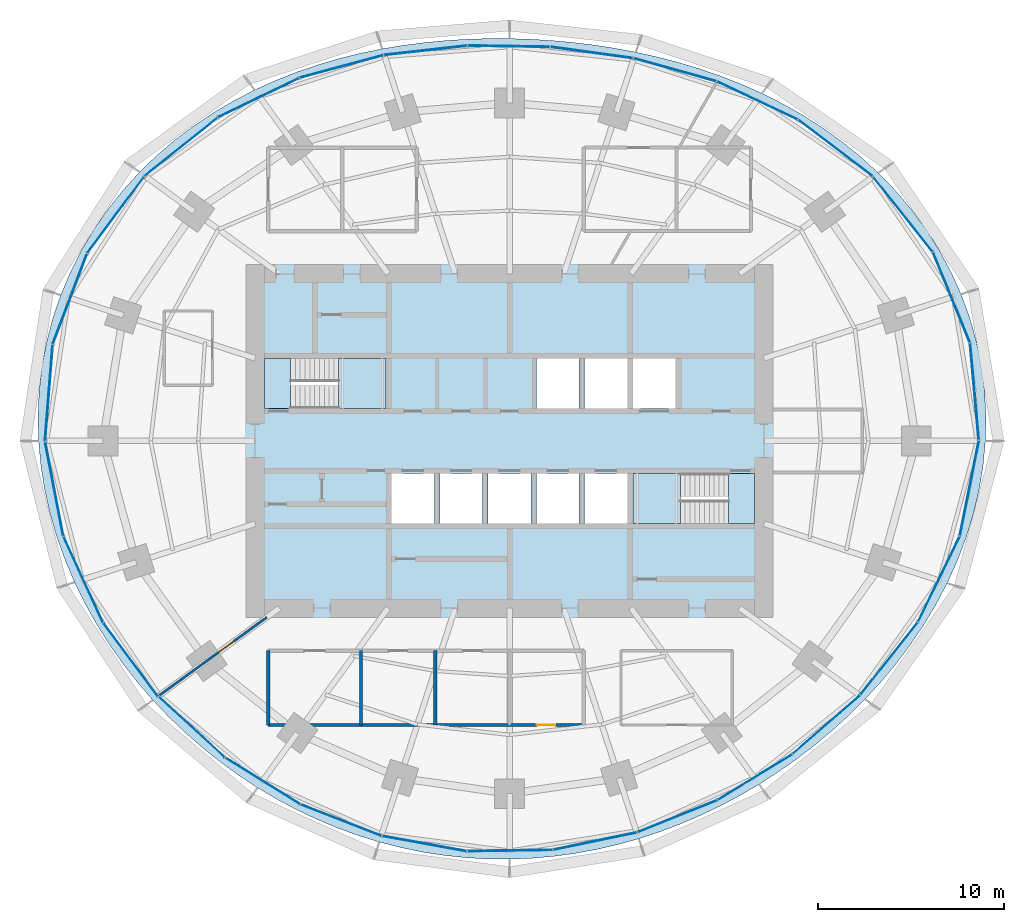
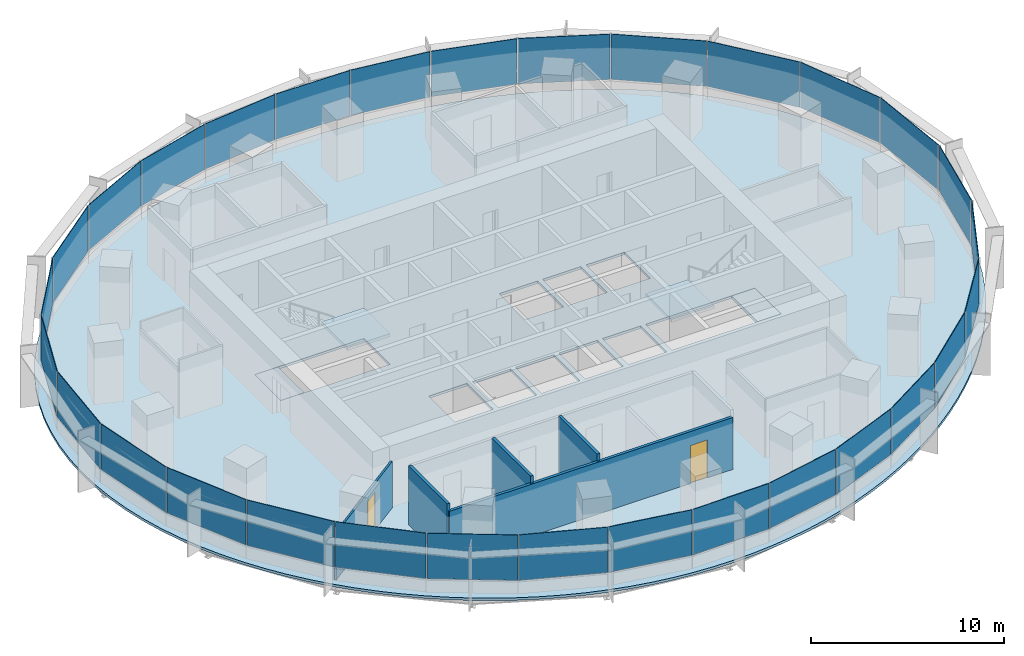
# One storey, part 9 of 14: 30 plates, 5 slabs, 5 walls, 2 doors, 2 openings, 8 elements without a shape of their own.
"""IFC4 building model written with IfcOpenShell, lengths in metres."""

from ifc_helpers import new_model, si_unit, direction, frame, frame_2d, origin, origin_2d, place, context, subcontext, project, spatial, polyline, rectangle, outline, extrude, material, layer, layer_set, type_object, element, fill, aggregate, save


model = new_model("IFC4")

# Units and contexts
model_context = context("Model", 3, precision=1e-05, world=origin(), true_north=direction((0.0, 1.0)))
body_context = subcontext(model_context, "Body", "Model", "MODEL_VIEW")
ifc_project = project(units=[si_unit("LENGTHUNIT", "METRE"), si_unit("AREAUNIT", "SQUARE_METRE"), si_unit("VOLUMEUNIT", "CUBIC_METRE"), si_unit("PLANEANGLEUNIT", "RADIAN"), si_unit("MASSUNIT", "GRAM", prefix="KILO")], contexts=[model_context])

# Site, building, storey
site_placement = place(None, origin())
site = spatial("IfcSite", under=ifc_project, at=site_placement, CompositionType="ELEMENT")
building_placement = place(site_placement, origin())
building = spatial("IfcBuilding", under=site, at=building_placement, Name="Marramba Exchange Tower", CompositionType="ELEMENT")
storey_placement = place(building_placement, frame((0.0, 0.0, 139.199951171875)))
storey = spatial("IfcBuildingStorey", under=building, at=storey_placement, Name="L33", CompositionType="ELEMENT", Elevation=139.199951171875)

# Slab
ifc_material_1 = material(Name="Concrete N40", Category="concrete")
ifc_layer_1 = layer(ifc_material_1, 0.159912109375)
ifc_layer_set_1 = layer_set([ifc_layer_1], Name="Composite floor slab 160")
slab_type_1 = type_object("IfcSlabType", Name="Composite floor slab 160", PredefinedType="FLOOR", material=ifc_layer_set_1)
slab_1_placement = place(storey_placement, frame((0.0, 0.0, -0.159912109375)))
element("IfcSlab", 1, at=slab_1_placement, inside=storey, type_object=slab_type_1, Name="Floor slab L33", PredefinedType="FLOOR", context=body_context, shape_type="SweptSolid", body=[
    extrude(outline(polyline([(25.632080078125, 0.0), (25.66064453125, 1.3447265625), (25.59033203125, 2.689697265625), (25.420166015625, 4.026123046875), (25.15087890625, 5.345947265625), (24.7841796875, 6.640869140625), (24.322998046875, 7.903076171875), (23.771484375, 9.125), (23.135009765625, 10.30029296875), (22.419677734375, 11.42333984375), (21.632080078125, 12.4892578125), (20.779541015625, 13.494384765625), (19.869384765625, 14.43603515625), (18.9091796875, 15.3125), (17.90625, 16.122802734375), (16.86767578125, 16.86767578125), (15.800048828125, 17.5478515625), (14.70947265625, 18.164794921875), (13.6015625, 18.720947265625), (12.48095703125, 19.218994140625), (11.3515625, 19.66162109375), (10.217041015625, 20.05224609375), (9.079833984375, 20.393798828125), (7.94189453125, 20.689453125), (6.804443359375, 20.942138671875), (5.668212890625, 21.154296875), (4.533447265625, 21.328369140625), (3.39990234375, 21.46630859375), (2.26708984375, 21.5693359375), (1.134033203125, 21.63818359375), (0.0, 21.673095703125), (-1.135986328125, 21.673828125), (-2.2744140625, 21.6396484375), (-3.416259765625, 21.5693359375), (-4.5615234375, 21.460693359375), (-5.71044921875, 21.31201171875), (-6.8623046875, 21.1201171875), (-8.01611328125, 20.8828125), (-9.170166015625, 20.5966796875), (-10.322509765625, 20.2587890625), (-11.4697265625, 19.8662109375), (-12.60888671875, 19.415771484375), (-13.7353515625, 18.905029296875), (-14.8447265625, 18.331787109375), (-15.931640625, 17.69384765625), (-16.989990234375, 16.989990234375), (-18.013916015625, 16.2197265625), (-18.996826171875, 15.38330078125), (-19.931884765625, 14.4814453125), (-20.8125, 13.515869140625), (-21.632080078125, 12.4892578125), (-22.384033203125, 11.4052734375), (-23.0625, 10.26806640625), (-23.661865234375, 9.0830078125), (-24.177734375, 7.855712890625), (-24.605712890625, 6.593017578125), (-24.943603515625, 5.302001953125), (-25.18896484375, 3.989501953125), (-25.341064453125, 2.663330078125), (-25.400390625, 1.3310546875), (-25.367919921875, 0.0), (-25.246337890625, -1.322998046875), (-25.038818359375, -2.631591796875), (-24.748779296875, -3.919921875), (-24.381103515625, -5.182373046875), (-23.940185546875, -6.414794921875), (-23.431396484375, -7.61328125), (-22.859130859375, -8.77490234375), (-22.22900390625, -9.89697265625), (-21.545166015625, -10.977783203125), (-20.81201171875, -12.015869140625), (-20.033935546875, -13.010009765625), (-19.2138671875, -13.959716796875), (-18.35546875, -14.86376953125), (-17.461181640625, -15.72216796875), (-16.53369140625, -16.53369140625), (-15.5751953125, -17.298095703125), (-14.587646484375, -18.014404296875), (-13.5732421875, -18.681884765625), (-12.533203125, -19.299560546875), (-11.4697265625, -19.8662109375), (-10.384765625, -20.381103515625), (-9.27978515625, -20.8427734375), (-8.157470703125, -21.250732421875), (-7.019287109375, -21.603271484375), (-5.8681640625, -21.900146484375), (-4.7060546875, -22.14013671875), (-3.53564453125, -22.322998046875), (-2.359375, -22.448486328125), (-1.179931640625, -22.516357421875), (0.0, -22.52685546875), (1.17822265625, -22.480712890625), (2.35205078125, -22.3779296875), (3.519287109375, -22.22021484375), (4.677978515625, -22.0078125), (5.825927734375, -21.742431640625), (6.96142578125, -21.425048828125), (8.0830078125, -21.05712890625), (9.189453125, -20.639892578125), (10.279296875, -20.17431640625), (11.3515625, -19.66162109375), (12.4052734375, -19.1025390625), (13.439453125, -18.497802734375), (14.45263671875, -17.847412109375), (15.44384765625, -17.152099609375), (16.411376953125, -16.411376953125), (17.353515625, -15.625244140625), (18.267822265625, -14.79296875), (19.1513671875, -13.914306640625), (20.000732421875, -12.98876953125), (20.81201171875, -12.015869140625), (21.580810546875, -10.995849609375), (22.301513671875, -9.92919921875), (22.96875, -8.81689453125), (23.57666015625, -7.660400390625), (24.11865234375, -6.462646484375), (24.588623046875, -5.2265625), (24.980224609375, -3.95654296875), (25.2880859375, -2.657958984375), (25.5068359375, -1.336669921875), (25.632080078125, 0.0)]), holes=[polyline([(1.449951171875, 1.75), (3.75, 1.75), (3.75, 4.449951171875), (1.449951171875, 4.449951171875), (1.449951171875, 1.75)]), polyline([(4.050048828125, 1.75), (6.35009765625, 1.75), (6.35009765625, 4.449951171875), (4.050048828125, 4.449951171875), (4.050048828125, 1.75)]), polyline([(-6.35009765625, -4.449951171875), (-4.050048828125, -4.449951171875), (-4.050048828125, -1.75), (-6.35009765625, -1.75), (-6.35009765625, -4.449951171875)]), polyline([(-3.75, -4.449951171875), (-1.449951171875, -4.449951171875), (-1.449951171875, -1.75), (-3.75, -1.75), (-3.75, -4.449951171875)]), polyline([(-1.14990234375, -4.449951171875), (1.14990234375, -4.449951171875), (1.14990234375, -1.75), (-1.14990234375, -1.75), (-1.14990234375, -4.449951171875)]), polyline([(1.449951171875, -4.449951171875), (3.75, -4.449951171875), (3.75, -1.75), (1.449951171875, -1.75), (1.449951171875, -4.449951171875)]), polyline([(4.050048828125, -4.449951171875), (6.35009765625, -4.449951171875), (6.35009765625, -1.75), (4.050048828125, -1.75), (4.050048828125, -4.449951171875)]), polyline([(6.64990234375, 1.75), (8.949951171875, 1.75), (8.949951171875, 4.449951171875), (6.64990234375, 4.449951171875), (6.64990234375, 1.75)]), polyline([(-13.199951171875, 1.75), (-6.64990234375, 1.75), (-6.64990234375, 4.449951171875), (-13.199951171875, 4.449951171875), (-13.199951171875, 1.75)]), polyline([(6.64990234375, -4.449951171875), (13.199951171875, -4.449951171875), (13.199951171875, -1.75), (6.64990234375, -1.75), (6.64990234375, -4.449951171875)])]), origin(), (0.0, 0.0, 1.0), 0.159912109375),
])

# Curtain wall, plates
ifc_material_2 = material(Name="Aluminium framing, bronze anodised", Category="aluminium")
curtain_wall_type = type_object("IfcCurtainWallType", Name="Office ribbon curtain wall", PredefinedType="USERDEFINED", material=ifc_material_2)
curtain_wall_1_placement = place(storey_placement, origin())
curtain_wall_1 = element("IfcCurtainWall", 2, at=curtain_wall_1_placement, inside=storey, type_object=curtain_wall_type, Name="Curtain wall CW4 L33 F01-F05", ObjectType="RIBBON CURTAIN WALL", PredefinedType="USERDEFINED")
ifc_material_3 = material(Name="Laminated double glazed unit 10.76 + 16 + 10.76, bronze tinted", Category="glass")
ifc_layer_2 = layer(ifc_material_3, 0.03759765625)
ifc_layer_set_2 = layer_set([ifc_layer_2], Name="Office ribbon curtain wall panel")
plate_type = type_object("IfcPlateType", Name="Office ribbon curtain wall panel", PredefinedType="CURTAIN_PANEL", material=ifc_layer_set_2)
plate_1_placement = place(storey_placement, frame((25.042724609375, 2.66650390625, 0.860107421875), z_axis=(0.0, 0.0, 1.0), x_axis=(-0.089412887889, 0.995994646311, 0.0)))
plate_1 = element("IfcPlate", 3, at=plate_1_placement, type_object=plate_type, Name="CW4 vision panel", PredefinedType="CURTAIN_PANEL", context=body_context, shape_type="SweptSolid", body=[
    extrude(rectangle(XDim=5.234375, YDim=0.03759765625, at=origin_2d()), origin(), (0.0, 0.0, 1.0), 2.8798828125),
])
plate_2_placement = place(storey_placement, frame((23.800537109375, 7.743408203125, 0.860107421875), z_axis=(0.0, 0.0, 1.0), x_axis=(-0.377821183171, 0.925878584668, 0.0)))
plate_2 = element("IfcPlate", 4, at=plate_2_placement, type_object=plate_type, Name="CW4 vision panel", PredefinedType="CURTAIN_PANEL", context=body_context, shape_type="SweptSolid", body=[
    extrude(rectangle(XDim=5.2158203125, YDim=0.03759765625, at=origin_2d()), origin(), (0.0, 0.0, 1.0), 2.8798828125),
])
plate_3_placement = place(storey_placement, frame((21.18212890625, 12.217529296875, 0.860107421875), z_axis=(0.0, 0.0, 1.0), x_axis=(-0.621312004611, 0.783563266703, 0.0)))
plate_3 = element("IfcPlate", 5, at=plate_3_placement, type_object=plate_type, Name="CW4 vision panel", PredefinedType="CURTAIN_PANEL", context=body_context, shape_type="SweptSolid", body=[
    extrude(rectangle(XDim=5.136962890625, YDim=0.03759765625, at=origin_2d()), origin(), (0.0, 0.0, 1.0), 2.8798828125),
])
plate_4_placement = place(storey_placement, frame((17.55224609375, 15.777099609375, 0.860107421875), z_axis=(0.0, 0.0, 1.0), x_axis=(-0.795971748366, 0.60533377223, 0.0)))
plate_4 = element("IfcPlate", 6, at=plate_4_placement, type_object=plate_type, Name="CW4 vision panel", PredefinedType="CURTAIN_PANEL", context=body_context, shape_type="SweptSolid", body=[
    extrude(rectangle(XDim=4.990966796875, YDim=0.03759765625, at=origin_2d()), origin(), (0.0, 0.0, 1.0), 2.8798828125),
])
plate_5_placement = place(storey_placement, frame((13.34423828125, 18.3359375, 0.860107421875), z_axis=(0.0, 0.0, 1.0), x_axis=(-0.904403137485, 0.426678995157, 0.0)))
plate_5 = element("IfcPlate", 7, at=plate_5_placement, type_object=plate_type, Name="CW4 vision panel", PredefinedType="CURTAIN_PANEL", context=body_context, shape_type="SweptSolid", body=[
    extrude(rectangle(XDim=4.793212890625, YDim=0.03759765625, at=origin_2d()), origin(), (0.0, 0.0, 1.0), 2.8798828125),
])
aggregate(curtain_wall_1, [plate_1, plate_2, plate_3, plate_4, plate_5])

curtain_wall_2_placement = place(storey_placement, origin())
curtain_wall_2 = element("IfcCurtainWall", 8, at=curtain_wall_2_placement, inside=storey, type_object=curtain_wall_type, Name="Curtain wall CW4 L33 F06-F10", ObjectType="RIBBON CURTAIN WALL", PredefinedType="USERDEFINED")
plate_6_placement = place(storey_placement, frame((8.907470703125, 19.991943359375, 0.860107421875), z_axis=(0.0, 0.0, 1.0), x_axis=(-0.963177845956, 0.268865090816, 0.0)))
plate_6 = element("IfcPlate", 9, at=plate_6_placement, type_object=plate_type, Name="CW4 vision panel", PredefinedType="CURTAIN_PANEL", context=body_context, shape_type="SweptSolid", body=[
    extrude(rectangle(XDim=4.591552734375, YDim=0.03759765625, at=origin_2d()), origin(), (0.0, 0.0, 1.0), 2.8798828125),
])
plate_7_placement = place(storey_placement, frame((4.43359375, 20.919189453125, 0.860107421875), z_axis=(0.0, 0.0, 1.0), x_axis=(-0.990738212841, 0.135785837319, 0.0)))
plate_7 = element("IfcPlate", 10, at=plate_7_placement, type_object=plate_type, Name="CW4 vision panel", PredefinedType="CURTAIN_PANEL", context=body_context, shape_type="SweptSolid", body=[
    extrude(rectangle(XDim=4.447509765625, YDim=0.03759765625, at=origin_2d()), origin(), (0.0, 0.0, 1.0), 2.8798828125),
])
plate_8_placement = place(storey_placement, frame((-0.03369140625, 21.2568359375, 0.860107421875), z_axis=(0.0, 0.0, 1.0), x_axis=(-0.999875869968, 0.01575578169, 0.0)))
plate_8 = element("IfcPlate", 11, at=plate_8_placement, type_object=plate_type, Name="CW4 vision panel", PredefinedType="CURTAIN_PANEL", context=body_context, shape_type="SweptSolid", body=[
    extrude(rectangle(XDim=4.408935546875, YDim=0.03759765625, at=origin_2d()), origin(), (0.0, 0.0, 1.0), 2.8798828125),
])
plate_9_placement = place(storey_placement, frame((-4.52587890625, 21.0361328125, 0.860107421875), z_axis=(0.0, 0.0, 1.0), x_axis=(-0.993823395532, -0.110973233233, 0.0)))
plate_9 = element("IfcPlate", 12, at=plate_9_placement, type_object=plate_type, Name="CW4 vision panel", PredefinedType="CURTAIN_PANEL", context=body_context, shape_type="SweptSolid", body=[
    extrude(rectangle(XDim=4.484375, YDim=0.03759765625, at=origin_2d()), origin(), (0.0, 0.0, 1.0), 2.8798828125),
])
plate_10_placement = place(storey_placement, frame((-9.053466796875, 20.16748046875, 0.860107421875), z_axis=(0.0, 0.0, 1.0), x_axis=(-0.965522047176, -0.260321294588, 0.0)))
plate_10 = element("IfcPlate", 13, at=plate_10_placement, type_object=plate_type, Name="CW4 vision panel", PredefinedType="CURTAIN_PANEL", context=body_context, shape_type="SweptSolid", body=[
    extrude(rectangle(XDim=4.642578125, YDim=0.03759765625, at=origin_2d()), origin(), (0.0, 0.0, 1.0), 2.8798828125),
])
aggregate(curtain_wall_2, [plate_6, plate_7, plate_8, plate_9, plate_10])

curtain_wall_3_placement = place(storey_placement, origin())
curtain_wall_3 = element("IfcCurtainWall", 14, at=curtain_wall_3_placement, inside=storey, type_object=curtain_wall_type, Name="Curtain wall CW4 L33 F11-F15", ObjectType="RIBBON CURTAIN WALL", PredefinedType="USERDEFINED")
plate_11_placement = place(storey_placement, frame((-13.52294921875, 18.4853515625, 0.860107421875), z_axis=(0.0, 0.0, 1.0), x_axis=(-0.900223739881, -0.435427626771, 0.0)))
plate_11 = element("IfcPlate", 15, at=plate_11_placement, type_object=plate_type, Name="CW4 vision panel", PredefinedType="CURTAIN_PANEL", context=body_context, shape_type="SweptSolid", body=[
    extrude(rectangle(XDim=4.83056640625, YDim=0.03759765625, at=origin_2d()), origin(), (0.0, 0.0, 1.0), 2.8798828125),
])
plate_12_placement = place(storey_placement, frame((-17.696533203125, 15.8359375, 0.860107421875), z_axis=(0.0, 0.0, 1.0), x_axis=(-0.78117833008, -0.624307950145, 0.0)))
plate_12 = element("IfcPlate", 16, at=plate_12_placement, type_object=plate_type, Name="CW4 vision panel", PredefinedType="CURTAIN_PANEL", context=body_context, shape_type="SweptSolid", body=[
    extrude(rectangle(XDim=4.998291015625, YDim=0.03759765625, at=origin_2d()), origin(), (0.0, 0.0, 1.0), 2.8798828125),
])
plate_13_placement = place(storey_placement, frame((-21.213623046875, 12.1767578125, 0.860107421875), z_axis=(0.0, 0.0, 1.0), x_axis=(-0.597703997504, -0.80171686484, 0.0)))
plate_13 = element("IfcPlate", 17, at=plate_13_placement, type_object=plate_type, Name="CW4 vision panel", PredefinedType="CURTAIN_PANEL", context=body_context, shape_type="SweptSolid", body=[
    extrude(rectangle(XDim=5.116455078125, YDim=0.03759765625, at=origin_2d()), origin(), (0.0, 0.0, 1.0), 2.8798828125),
])
plate_14_placement = place(storey_placement, frame((-23.6826171875, 7.6494140625, 0.860107421875), z_axis=(0.0, 0.0, 1.0), x_axis=(-0.354844468484, -0.934925346317, 0.0)))
plate_14 = element("IfcPlate", 18, at=plate_14_placement, type_object=plate_type, Name="CW4 vision panel", PredefinedType="CURTAIN_PANEL", context=body_context, shape_type="SweptSolid", body=[
    extrude(rectangle(XDim=5.177490234375, YDim=0.03759765625, at=origin_2d()), origin(), (0.0, 0.0, 1.0), 2.8798828125),
])
plate_15_placement = place(storey_placement, frame((-24.81201171875, 2.584716796875, 0.860107421875), z_axis=(0.0, 0.0, 1.0), x_axis=(-0.079459696383, -0.996838079455, 0.0)))
plate_15 = element("IfcPlate", 19, at=plate_15_placement, type_object=plate_type, Name="CW4 vision panel", PredefinedType="CURTAIN_PANEL", context=body_context, shape_type="SweptSolid", body=[
    extrude(rectangle(XDim=5.185791015625, YDim=0.03759765625, at=origin_2d()), origin(), (0.0, 0.0, 1.0), 2.8798828125),
])
aggregate(curtain_wall_3, [plate_11, plate_12, plate_13, plate_14, plate_15])

curtain_wall_4_placement = place(storey_placement, origin())
curtain_wall_4 = element("IfcCurtainWall", 20, at=curtain_wall_4_placement, inside=storey, type_object=curtain_wall_type, Name="Curtain wall CW4 L33 F16-F20", ObjectType="RIBBON CURTAIN WALL", PredefinedType="USERDEFINED")
plate_16_placement = place(storey_placement, frame((-24.522705078125, -2.584228515625, 0.860107421875), z_axis=(0.0, 0.0, 1.0), x_axis=(0.18822721487, -0.982125509078, 0.0)))
plate_16 = element("IfcPlate", 21, at=plate_16_placement, type_object=plate_type, Name="CW4 vision panel", PredefinedType="CURTAIN_PANEL", context=body_context, shape_type="SweptSolid", body=[
    extrude(rectangle(XDim=5.142578125, YDim=0.03759765625, at=origin_2d()), origin(), (0.0, 0.0, 1.0), 2.8798828125),
])
plate_17_placement = place(storey_placement, frame((-22.96142578125, -7.45947265625, 0.860107421875), z_axis=(0.0, 0.0, 1.0), x_axis=(0.416737848929, -0.909026713177, 0.0)))
plate_17 = element("IfcPlate", 22, at=plate_17_placement, type_object=plate_type, Name="CW4 vision panel", PredefinedType="CURTAIN_PANEL", context=body_context, shape_type="SweptSolid", body=[
    extrude(rectangle(XDim=5.0498046875, YDim=0.03759765625, at=origin_2d()), origin(), (0.0, 0.0, 1.0), 2.8798828125),
])
plate_18_placement = place(storey_placement, frame((-20.402099609375, -11.7783203125, 0.860107421875), z_axis=(0.0, 0.0, 1.0), x_axis=(0.597304697033, -0.802014400683, 0.0)))
plate_18 = element("IfcPlate", 23, at=plate_18_placement, type_object=plate_type, Name="CW4 vision panel", PredefinedType="CURTAIN_PANEL", context=body_context, shape_type="SweptSolid", body=[
    extrude(rectangle(XDim=4.926513671875, YDim=0.03759765625, at=origin_2d()), origin(), (0.0, 0.0, 1.0), 2.8798828125),
])
plate_19_placement = place(storey_placement, frame((-17.11376953125, -15.416259765625, 0.860107421875), z_axis=(0.0, 0.0, 1.0), x_axis=(0.737821886077, -0.674995455115, 0.0)))
plate_19 = element("IfcPlate", 24, at=plate_19_placement, type_object=plate_type, Name="CW4 vision panel", PredefinedType="CURTAIN_PANEL", context=body_context, shape_type="SweptSolid", body=[
    extrude(rectangle(XDim=4.80517578125, YDim=0.03759765625, at=origin_2d()), origin(), (0.0, 0.0, 1.0), 2.8798828125),
])
plate_20_placement = place(storey_placement, frame((-13.29248046875, -18.31640625, 0.860107421875), z_axis=(0.0, 0.0, 1.0), x_axis=(0.84835459748, -0.52942844364, 0.0)))
plate_20 = element("IfcPlate", 25, at=plate_20_placement, type_object=plate_type, Name="CW4 vision panel", PredefinedType="CURTAIN_PANEL", context=body_context, shape_type="SweptSolid", body=[
    extrude(rectangle(XDim=4.70947265625, YDim=0.03759765625, at=origin_2d()), origin(), (0.0, 0.0, 1.0), 2.8798828125),
])
aggregate(curtain_wall_4, [plate_16, plate_17, plate_18, plate_19, plate_20])

curtain_wall_5_placement = place(storey_placement, origin())
curtain_wall_5 = element("IfcCurtainWall", 26, at=curtain_wall_5_placement, inside=storey, type_object=curtain_wall_type, Name="Curtain wall CW4 L33 F21-F25", ObjectType="RIBBON CURTAIN WALL", PredefinedType="USERDEFINED")
plate_21_placement = place(storey_placement, frame((-9.074951171875, -20.427734375, 0.860107421875), z_axis=(0.0, 0.0, 1.0), x_axis=(0.931818390344, -0.36292490603, 0.0)))
plate_21 = element("IfcPlate", 27, at=plate_21_placement, type_object=plate_type, Name="CW4 vision panel", PredefinedType="CURTAIN_PANEL", context=body_context, shape_type="SweptSolid", body=[
    extrude(rectangle(XDim=4.644287109375, YDim=0.03759765625, at=origin_2d()), origin(), (0.0, 0.0, 1.0), 2.8798828125),
])
plate_22_placement = place(storey_placement, frame((-4.58740234375, -21.690673828125, 0.860107421875), z_axis=(0.0, 0.0, 1.0), x_axis=(0.984031865834, -0.177992379115, 0.0)))
plate_22 = element("IfcPlate", 28, at=plate_22_placement, type_object=plate_type, Name="CW4 vision panel", PredefinedType="CURTAIN_PANEL", context=body_context, shape_type="SweptSolid", body=[
    extrude(rectangle(XDim=4.602783203125, YDim=0.03759765625, at=origin_2d()), origin(), (0.0, 0.0, 1.0), 2.8798828125),
])
plate_23_placement = place(storey_placement, frame((0.0263671875, -22.064697265625, 0.860107421875), z_axis=(0.0, 0.0, 1.0), x_axis=(0.999884797709, 0.015178646521, 0.0)))
plate_23 = element("IfcPlate", 29, at=plate_23_placement, type_object=plate_type, Name="CW4 vision panel", PredefinedType="CURTAIN_PANEL", context=body_context, shape_type="SweptSolid", body=[
    extrude(rectangle(XDim=4.578857421875, YDim=0.03759765625, at=origin_2d()), origin(), (0.0, 0.0, 1.0), 2.8798828125),
])
plate_24_placement = place(storey_placement, frame((4.61376953125, -21.554931640625, 0.860107421875), z_axis=(0.0, 0.0, 1.0), x_axis=(0.979310199794, 0.202364850159, 0.0)))
plate_24 = element("IfcPlate", 30, at=plate_24_placement, type_object=plate_type, Name="CW4 vision panel", PredefinedType="CURTAIN_PANEL", context=body_context, shape_type="SweptSolid", body=[
    extrude(rectangle(XDim=4.57373046875, YDim=0.03759765625, at=origin_2d()), origin(), (0.0, 0.0, 1.0), 2.8798828125),
])
plate_25_placement = place(storey_placement, frame((9.042724609375, -20.214111328125, 0.860107421875), z_axis=(0.0, 0.0, 1.0), x_axis=(0.928148916059, 0.372209067082, 0.0)))
plate_25 = element("IfcPlate", 31, at=plate_25_placement, type_object=plate_type, Name="CW4 vision panel", PredefinedType="CURTAIN_PANEL", context=body_context, shape_type="SweptSolid", body=[
    extrude(rectangle(XDim=4.59814453125, YDim=0.03759765625, at=origin_2d()), origin(), (0.0, 0.0, 1.0), 2.8798828125),
])
aggregate(curtain_wall_5, [plate_21, plate_22, plate_23, plate_24, plate_25])

curtain_wall_6_placement = place(storey_placement, origin())
curtain_wall_6 = element("IfcCurtainWall", 32, at=curtain_wall_6_placement, inside=storey, type_object=curtain_wall_type, Name="Curtain wall CW4 L33 F26-F30", ObjectType="RIBBON CURTAIN WALL", PredefinedType="USERDEFINED")
plate_26_placement = place(storey_placement, frame((13.21875, -18.109619140625, 0.860107421875), z_axis=(0.0, 0.0, 1.0), x_axis=(0.853109114492, 0.521732535664, 0.0)))
plate_26 = element("IfcPlate", 33, at=plate_26_placement, type_object=plate_type, Name="CW4 vision panel", PredefinedType="CURTAIN_PANEL", context=body_context, shape_type="SweptSolid", body=[
    extrude(rectangle(XDim=4.66748046875, YDim=0.03759765625, at=origin_2d()), origin(), (0.0, 0.0, 1.0), 2.8798828125),
])
plate_27_placement = place(storey_placement, frame((17.0615234375, -15.280517578125, 0.860107421875), z_axis=(0.0, 0.0, 1.0), x_axis=(0.754385506384, 0.656431647438, 0.0)))
plate_27 = element("IfcPlate", 34, at=plate_27_placement, type_object=plate_type, Name="CW4 vision panel", PredefinedType="CURTAIN_PANEL", context=body_context, shape_type="SweptSolid", body=[
    extrude(rectangle(XDim=4.789794921875, YDim=0.03759765625, at=origin_2d()), origin(), (0.0, 0.0, 1.0), 2.8798828125),
])
plate_28_placement = place(storey_placement, frame((20.443603515625, -11.724365234375, 0.860107421875), z_axis=(0.0, 0.0, 1.0), x_axis=(0.621807472329, 0.783170139469, 0.0)))
plate_28 = element("IfcPlate", 35, at=plate_28_placement, type_object=plate_type, Name="CW4 vision panel", PredefinedType="CURTAIN_PANEL", context=body_context, shape_type="SweptSolid", body=[
    extrude(rectangle(XDim=4.947265625, YDim=0.03759765625, at=origin_2d()), origin(), (0.0, 0.0, 1.0), 2.8798828125),
])
plate_29_placement = place(storey_placement, frame((23.127197265625, -7.443359375, 0.860107421875), z_axis=(0.0, 0.0, 1.0), x_axis=(0.439086342308, 0.89844486976, 0.0)))
plate_29 = element("IfcPlate", 36, at=plate_29_placement, type_object=plate_type, Name="CW4 vision panel", PredefinedType="CURTAIN_PANEL", context=body_context, shape_type="SweptSolid", body=[
    extrude(rectangle(XDim=5.096923828125, YDim=0.03759765625, at=origin_2d()), origin(), (0.0, 0.0, 1.0), 2.8798828125),
])
plate_30_placement = place(storey_placement, frame((24.77001953125, -2.54736328125, 0.860107421875), z_axis=(0.0, 0.0, 1.0), x_axis=(0.197048511267, 0.980393739376, 0.0)))
plate_30 = element("IfcPlate", 37, at=plate_30_placement, type_object=plate_type, Name="CW4 vision panel", PredefinedType="CURTAIN_PANEL", context=body_context, shape_type="SweptSolid", body=[
    extrude(rectangle(XDim=5.19677734375, YDim=0.03759765625, at=origin_2d()), origin(), (0.0, 0.0, 1.0), 2.8798828125),
])
aggregate(curtain_wall_6, [plate_26, plate_27, plate_28, plate_29, plate_30])

# Stair, slabs
ifc_material_4 = material(Name="Concrete N40 (40 MPa)", Category="concrete")
stair_type_1 = type_object("IfcStairType", Name="Exit stair ST1 3900 x 1250", PredefinedType="HALF_TURN_STAIR", material=ifc_material_4)
stair_1_placement = place(storey_placement, origin())
stair_1 = element("IfcStair", 38, at=stair_1_placement, inside=storey, type_object=stair_type_1, Name="Exit stair ST1 L33", PredefinedType="HALF_TURN_STAIR")
ifc_layer_3 = layer(ifc_material_4, 0.199951171875)
ifc_layer_set_3 = layer_set([ifc_layer_3], Name="Stair landing 200")
slab_type_2 = type_object("IfcSlabType", Name="Stair landing 200", PredefinedType="LANDING", material=ifc_layer_set_3)
slab_2_placement = place(storey_placement, frame((0.0, 0.0, -0.199951171875)))
slab_2 = element("IfcSlab", 39, at=slab_2_placement, type_object=slab_type_2, Name="ST1 landing 1", PredefinedType="LANDING", context=body_context, shape_type="SweptSolid", body=[
    extrude(outline(polyline([(-13.199951171875, 1.75), (-11.800048828125, 1.75), (-11.800048828125, 4.449951171875), (-13.199951171875, 4.449951171875), (-13.199951171875, 1.75)])), origin(), (0.0, 0.0, 1.0), 0.199951171875),
])
slab_3_placement = place(storey_placement, frame((0.0, 0.0, 1.75)))
slab_3 = element("IfcSlab", 40, at=slab_3_placement, type_object=slab_type_2, Name="ST1 landing 2", PredefinedType="LANDING", context=body_context, shape_type="SweptSolid", body=[
    extrude(outline(polyline([(-9.199951171875, 1.75), (-6.64990234375, 1.75), (-6.64990234375, 4.449951171875), (-9.199951171875, 4.449951171875), (-9.199951171875, 1.75)])), origin(), (0.0, 0.0, 1.0), 0.199951171875),
])
aggregate(stair_1, [slab_2, slab_3])

stair_type_2 = type_object("IfcStairType", Name="Exit stair ST2 3900 x 1250", PredefinedType="HALF_TURN_STAIR", material=ifc_material_4)
stair_2_placement = place(storey_placement, origin())
stair_2 = element("IfcStair", 41, at=stair_2_placement, inside=storey, type_object=stair_type_2, Name="Exit stair ST2 L33", PredefinedType="HALF_TURN_STAIR")
slab_4_placement = place(storey_placement, frame((0.0, 0.0, -0.199951171875)))
slab_4 = element("IfcSlab", 42, at=slab_4_placement, type_object=slab_type_2, Name="ST2 landing 1", PredefinedType="LANDING", context=body_context, shape_type="SweptSolid", body=[
    extrude(outline(polyline([(11.800048828125, -4.449951171875), (13.199951171875, -4.449951171875), (13.199951171875, -1.75), (11.800048828125, -1.75), (11.800048828125, -4.449951171875)])), origin(), (0.0, 0.0, 1.0), 0.199951171875),
])
slab_5_placement = place(storey_placement, frame((0.0, 0.0, 1.75)))
slab_5 = element("IfcSlab", 43, at=slab_5_placement, type_object=slab_type_2, Name="ST2 landing 2", PredefinedType="LANDING", context=body_context, shape_type="SweptSolid", body=[
    extrude(outline(polyline([(6.64990234375, -4.449951171875), (9.199951171875, -4.449951171875), (9.199951171875, -1.75), (6.64990234375, -1.75), (6.64990234375, -4.449951171875)])), origin(), (0.0, 0.0, 1.0), 0.199951171875),
])
aggregate(stair_2, [slab_4, slab_5])

# Walls
ifc_material_5 = material(Name="Plasterboard on staggered double steel studs, acoustic insulation", Category="steel")
ifc_layer_4 = layer(ifc_material_5, 0.169921875)
ifc_layer_set_4 = layer_set([ifc_layer_4], Name="Acoustic partition 170")
wall_type_1 = type_object("IfcWallType", Name="Acoustic partition 170", PredefinedType="PARTITIONING", material=ifc_layer_set_4)
for number, where, z_axis, x_axis, name in (
    (44, (-13.0, -15.300048828125, 0.0), (0.0, 0.0, 1.0), (0.0, 1.0, 0.0), "Acoustic partition L33 02"),
    (45, (-8.0, -11.300048828125, 0.0), (0.0, 0.0, 1.0), (0.0, -1.0, 0.0), "Acoustic partition L33 03"),
    (46, (-4.0, -11.300048828125, 0.0), (0.0, 0.0, 1.0), (0.0, -1.0, 0.0), "Acoustic partition L33 05"),
):
    element("IfcWall", number, at=place(storey_placement, frame(where, z_axis=z_axis, x_axis=x_axis)), inside=storey, type_object=wall_type_1, Name=name, PredefinedType="PARTITIONING", context=body_context, shape_type="SweptSolid", body=[
        extrude(rectangle(XDim=4.0, YDim=0.169921875, at=frame_2d((2.0, 0.0))), origin(), (0.0, 0.0, 1.0), 3.739990234375),
    ])

# Wall, opening, door
wall_1_placement = place(storey_placement, frame((4.0, -15.300048828125, 0.0), z_axis=(0.0, 0.0, 1.0), x_axis=(-1.0, 0.0, 0.0)))
wall_1 = element("IfcWall", 47, at=wall_1_placement, inside=storey, type_object=wall_type_1, Name="Acoustic partition L33 06", PredefinedType="PARTITIONING", context=body_context, shape_type="SweptSolid", body=[
    extrude(rectangle(XDim=17.0, YDim=0.169921875, at=frame_2d((8.5, 0.0))), origin(), (0.0, 0.0, 1.0), 3.2861328125),
])
opening_1_placement = place(wall_1_placement, frame((1.52587890625, 0.0, 0.0)))
opening_1 = element("IfcOpeningElement", 48, at=opening_1_placement, cuts=wall_1, Name="Opening D9", PredefinedType="OPENING", context=body_context, shape_type="SweptSolid", body=[
    extrude(rectangle(XDim=1.0, YDim=2.39990234375, at=frame_2d((0.5, 1.199951171875))), frame((0.0, 0.094970703125, 0.0), z_axis=(0.0, -1.0, 0.0), x_axis=(1.0, 0.0, 0.0)), (0.0, 0.0, 1.0), 0.18994140625),
])
ifc_material_6 = material(Name="Timber door", Category="wood")
door_type = type_object("IfcDoorType", Name="Room door 1000x2400", OperationType="SINGLE_SWING_LEFT", PredefinedType="DOOR", material=ifc_material_6)
door_1_placement = place(opening_1_placement, frame((1.0, 0.0, 0.0), z_axis=(0.0, 0.0, 1.0), x_axis=(-1.0, 0.0, 0.0)))
door_1 = element("IfcDoor", 49, at=door_1_placement, inside=storey, type_object=door_type, Name="D9 Quiet Room 3 L33", OperationType="SINGLE_SWING_LEFT", OverallHeight=2.39990234375, OverallWidth=1.0, PredefinedType="DOOR", context=body_context, shape_type="SweptSolid", body=[
    extrude(rectangle(XDim=1.0, YDim=2.39990234375, at=frame_2d((0.5, 1.199951171875))), frame((0.0, 0.025146484375, 0.0), z_axis=(0.0, -1.0, 0.0), x_axis=(1.0, 0.0, 0.0)), (0.0, 0.0, 1.0), 0.050048828125),
])
fill(opening_1, door_1)

ifc_material_7 = material(Name="Plasterboard on steel studs", Category="steel")
ifc_layer_5 = layer(ifc_material_7, 0.1201171875)
ifc_layer_set_5 = layer_set([ifc_layer_5], Name="Partition 120")
wall_type_2 = type_object("IfcWallType", Name="Partition 120", PredefinedType="PARTITIONING", material=ifc_layer_set_5)
wall_2_placement = place(storey_placement, frame((-13.07568359375, -9.5, 0.0), z_axis=(0.0, 0.0, 1.0), x_axis=(-0.809023630932, -0.587776117747, 0.0)))
wall_2 = element("IfcWall", 50, at=wall_2_placement, inside=storey, type_object=wall_type_2, Name="Partition L33 01", PredefinedType="PARTITIONING", context=body_context, shape_type="SweptSolid", body=[
    extrude(rectangle(XDim=7.1572265625, YDim=0.1201171875, at=frame_2d((3.57861328125, 0.0))), origin(), (0.0, 0.0, 1.0), 2.93994140625),
])
opening_2_placement = place(wall_2_placement, frame((2.201904296875, 0.0, 0.0)))
opening_2 = element("IfcOpeningElement", 51, at=opening_2_placement, cuts=wall_2, Name="Opening D9", PredefinedType="OPENING", context=body_context, shape_type="SweptSolid", body=[
    extrude(rectangle(XDim=1.0, YDim=2.39990234375, at=frame_2d((0.5, 1.199951171875))), frame((0.0, 0.070068359375, 0.0), z_axis=(0.0, -1.0, 0.0), x_axis=(1.0, 0.0, 0.0)), (0.0, 0.0, 1.0), 0.14013671875),
])
door_2_placement = place(opening_2_placement, frame((1.0, 0.0, 0.0), z_axis=(0.0, 0.0, 1.0), x_axis=(-1.0, 0.0, 0.0)))
door_2 = element("IfcDoor", 52, at=door_2_placement, inside=storey, type_object=door_type, Name="D9 Software Development Office L33", OperationType="SINGLE_SWING_RIGHT", OverallHeight=2.39990234375, OverallWidth=1.0, PredefinedType="DOOR", context=body_context, shape_type="SweptSolid", body=[
    extrude(rectangle(XDim=1.0, YDim=2.39990234375, at=frame_2d((0.5, 1.199951171875))), frame((0.0, 0.025146484375, 0.0), z_axis=(0.0, -1.0, 0.0), x_axis=(1.0, 0.0, 0.0)), (0.0, 0.0, 1.0), 0.050048828125),
])
fill(opening_2, door_2)

save(model, "model.ifc")
